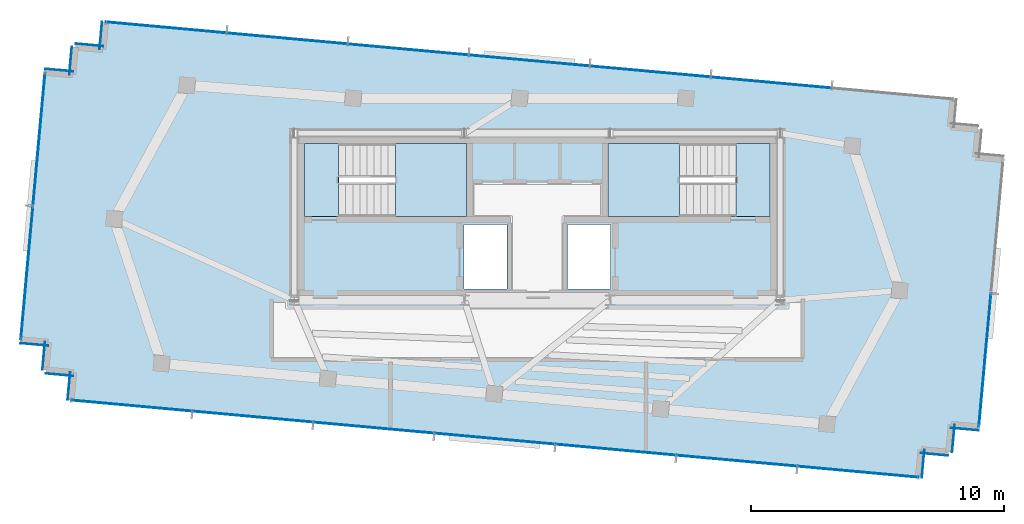
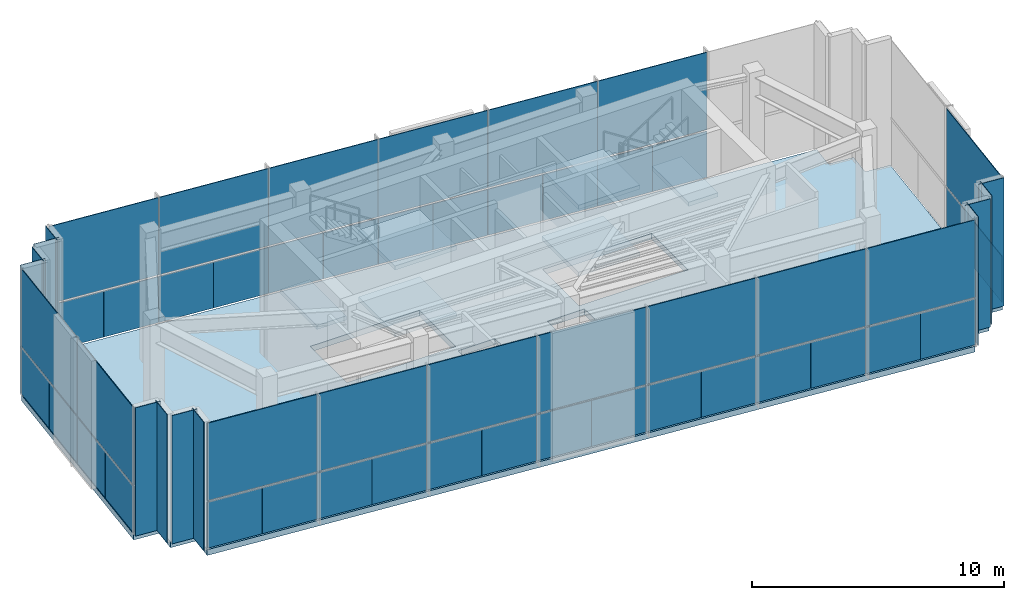
# One storey, part 14 of 19: 60 plates, 7 slabs, 6 elements without a shape of their own.
"""IFC4 building model written with IfcOpenShell, lengths in metres."""

import ifcopenshell
import ifcopenshell.guid

model = None  # the IFC model being written
_history = None  # IfcOwnerHistory: only IFC2X3 demands one
_inside = {}  # id of a spatial element -> (the spatial element, [elements in it])
_under = {}  # id of a project, library or spatial element -> (it, [spatial elements below it])
_declared = {}  # id of a project -> (the project, [libraries it declares])
_typed = {}  # id of a type object -> (the type object, [elements of that type])
_made_of = {}  # id of a material, layer set ... -> (it, [elements and type objects made of it])


def new_model(schema):
    """Start an empty IFC model of exactly this schema.

    Asked for "IFC4X3", IfcOpenShell would pick the latest addendum, in which some entities
    have other attributes; the version numbers below select the first issue.
    IFC2X3 requires an IfcOwnerHistory on every rooted entity: one is made here for all.
    """
    global model, _history
    if schema == "IFC4X3":
        model = ifcopenshell.file(schema_version=(4, 3, 0, 0))
    else:
        model = ifcopenshell.file(schema=schema)
    _inside.clear()
    _under.clear()
    _declared.clear()
    _typed.clear()
    _made_of.clear()
    _history = None
    if model.schema == "IFC2X3":
        org = make("IfcOrganization", Name="unknown")
        user = make(
            "IfcPersonAndOrganization",
            ThePerson=make("IfcPerson", FamilyName="unknown"),
            TheOrganization=org,
        )
        app = make(
            "IfcApplication",
            ApplicationDeveloper=org,
            Version="unknown",
            ApplicationFullName="unknown",
            ApplicationIdentifier="unknown",
        )
        _history = make(
            "IfcOwnerHistory",
            OwningUser=user,
            OwningApplication=app,
            ChangeAction="ADDED",
            CreationDate=0,
        )
    return model


def make(cls, **values):
    """One entity of the class cls with the attributes given. An attribute that is None is left unset."""
    return model.create_entity(
        cls, **{name: value for name, value in values.items() if value is not None}
    )


def rooted(cls, **values):
    """An entity with a GlobalId (a new one), such as an element, a storey or a relation."""
    return make(cls, GlobalId=ifcopenshell.guid.new(), OwnerHistory=_history, **values)


def si_unit(unit_type, name, prefix=None):
    """IfcSIUnit, for example si_unit("LENGTHUNIT", "METRE", prefix="MILLI")."""
    return make("IfcSIUnit", UnitType=unit_type, Prefix=prefix, Name=name)


def assignment(units):
    """IfcUnitAssignment: the units of a project."""
    return None if units is None else make("IfcUnitAssignment", Units=units)


def point(xyz):
    """IfcCartesianPoint."""
    return None if xyz is None else make("IfcCartesianPoint", Coordinates=xyz)


def direction(xyz):
    """IfcDirection."""
    return None if xyz is None else make("IfcDirection", DirectionRatios=xyz)


def frame(location, z_axis=None, x_axis=None):
    """IfcAxis2Placement3D, a coordinate frame: its origin and axes. An axis left out is left unset."""
    return make(
        "IfcAxis2Placement3D",
        Location=point(location),
        Axis=direction(z_axis),
        RefDirection=direction(x_axis),
    )


def frame_2d(location, x_axis=None):
    """IfcAxis2Placement2D, a coordinate frame in the plane: its origin and x axis."""
    return make(
        "IfcAxis2Placement2D", Location=point(location), RefDirection=direction(x_axis)
    )


def origin():
    """The frame at (0, 0, 0) with its axes left unset."""
    return frame((0.0, 0.0, 0.0))


def origin_2d():
    """The frame at (0, 0) in the plane with its x axis left unset."""
    return frame_2d((0.0, 0.0))


def place(relative_to, where):
    """IfcLocalPlacement: puts the frame where relative to a parent placement (None: the world)."""
    return make(
        "IfcLocalPlacement", PlacementRelTo=relative_to, RelativePlacement=where
    )


def context(
    kind, dimensions, precision=None, world=None, true_north=None, identifier=None
):
    """IfcGeometricRepresentationContext, for example the 3D "Model" context."""
    return make(
        "IfcGeometricRepresentationContext",
        ContextIdentifier=identifier,
        ContextType=kind,
        CoordinateSpaceDimension=dimensions,
        Precision=precision,
        WorldCoordinateSystem=world,
        TrueNorth=true_north,
    )


def subcontext(parent, identifier, kind, view, scale=None):
    """IfcGeometricRepresentationSubContext, for example "Body" below "Model"."""
    return make(
        "IfcGeometricRepresentationSubContext",
        ContextIdentifier=identifier,
        ContextType=kind,
        ParentContext=parent,
        TargetScale=scale,
        TargetView=view,
    )


def project(units=None, contexts=None):
    """IfcProject with its units and contexts."""
    return rooted(
        "IfcProject",
        Name="project",
        RepresentationContexts=contexts,
        UnitsInContext=assignment(units),
    )


def spatial(cls, under=None, at=None, **own):
    """A site, building, storey or space (cls), placed at a placement, below another one or the project."""
    s = rooted(cls, ObjectPlacement=at, **own)
    if under is not None:
        _under.setdefault(under.id(), (under, []))[1].append(s)
    return s


def polyline(points):
    """IfcPolyline through the points."""
    return make("IfcPolyline", Points=[point(p) for p in points])


def profile(cls, at=None, kind="AREA", **sizes):
    """A parametric profile (cls). Its sizes go by their IFC names, for example OverallWidth=200.0."""
    return make(cls, ProfileType=kind, Position=at, **sizes)


def rectangle(**sizes):
    """IfcRectangleProfileDef."""
    return profile("IfcRectangleProfileDef", **sizes)


def outline(outer, holes=None, kind="AREA"):
    """IfcArbitraryClosedProfileDef: a profile drawn as a closed curve; with holes, ...WithVoids."""
    if holes is None:
        return make("IfcArbitraryClosedProfileDef", ProfileType=kind, OuterCurve=outer)
    return make(
        "IfcArbitraryProfileDefWithVoids",
        ProfileType=kind,
        OuterCurve=outer,
        InnerCurves=holes,
    )


def extrude(swept, where, along, depth):
    """IfcExtrudedAreaSolid: the profile swept, set in the frame where, extruded along a direction by depth."""
    return make(
        "IfcExtrudedAreaSolid",
        SweptArea=swept,
        Position=where,
        ExtrudedDirection=direction(along),
        Depth=depth,
    )


def shape(context_of_items, identifier, shape_type, items):
    """IfcShapeRepresentation: the items that make up one representation, for example the "Body"."""
    return make(
        "IfcShapeRepresentation",
        ContextOfItems=context_of_items,
        RepresentationIdentifier=identifier,
        RepresentationType=shape_type,
        Items=items,
    )


def source(mapping_origin, context_of_items, identifier, shape_type, items):
    """IfcRepresentationMap: a shape defined once, which mapped items show again and again."""
    return make(
        "IfcRepresentationMap",
        MappingOrigin=mapping_origin,
        MappedRepresentation=shape(context_of_items, identifier, shape_type, items),
    )


def transform(
    local_origin,
    x_axis=None,
    y_axis=None,
    z_axis=None,
    scale=None,
    scale2=None,
    scale3=None,
    uniform=True,
):
    """IfcCartesianTransformationOperator3D, or its non-uniform kind. x_axis, y_axis, z_axis: its Axis1, 2, 3."""
    if uniform:
        return make(
            "IfcCartesianTransformationOperator3D",
            Axis1=direction(x_axis),
            Axis2=direction(y_axis),
            LocalOrigin=point(local_origin),
            Scale=scale,
            Axis3=direction(z_axis),
        )
    return make(
        "IfcCartesianTransformationOperator3DnonUniform",
        Axis1=direction(x_axis),
        Axis2=direction(y_axis),
        LocalOrigin=point(local_origin),
        Scale=scale,
        Axis3=direction(z_axis),
        Scale2=scale2,
        Scale3=scale3,
    )


def mapped(mapping_source, mapping_target):
    """IfcMappedItem: shows the shape of a source again, moved by a transform."""
    return make(
        "IfcMappedItem", MappingSource=mapping_source, MappingTarget=mapping_target
    )


def material(Name=None, Category=None):
    """IfcMaterial."""
    return make("IfcMaterial", Name=Name, Category=Category)


def layer(
    of_material, thickness, ventilated=None, Name=None, Category=None, Priority=None
):
    """IfcMaterialLayer: one layer of a wall or slab, of a material (None: an air gap)."""
    return make(
        "IfcMaterialLayer",
        Material=of_material,
        LayerThickness=thickness,
        IsVentilated=ventilated,
        Name=Name,
        Category=Category,
        Priority=Priority,
    )


def layer_set(layers, Name=None):
    """IfcMaterialLayerSet."""
    return make("IfcMaterialLayerSet", MaterialLayers=layers, LayerSetName=Name)


def made_of(thing, what):
    """Note that an element or type object is made of a material, layer set ...; save() writes the relation."""
    if what is not None:
        _made_of.setdefault(what.id(), (what, []))[1].append(thing)
    return thing


def type_object(cls, material=None, **own):
    """A type object (cls), such as IfcWallType, which elements share."""
    return made_of(rooted(cls, **own), material)


def type_shapes(of_type, sources):
    """Give a type object the sources (RepresentationMaps) that its elements show as mapped items."""
    of_type.RepresentationMaps = sources


def element(
    cls,
    number,
    at=None,
    inside=None,
    cuts=None,
    type_object=None,
    material=None,
    context=None,
    identifier="Body",
    shape_type=None,
    held_by="IfcProductDefinitionShape",
    body=None,
    shapes=None,
    **own,
):
    """One element of the class cls, such as IfcWall. Its Tag is "e" and its number.

    at: its placement. inside: the storey or other place that contains it. cuts: it is an
    opening in that element (IfcRelVoidsElement). A single representation is given by context,
    identifier, shape_type and body (its items); several are given by shapes. held_by: the class
    of the entity that holds the representations. save() writes the other relations.
    """
    e = rooted(cls, Tag="e%d" % number, ObjectPlacement=at, **own)
    if body is not None:
        shapes = [shape(context, identifier, shape_type, body)]
    if shapes is not None:
        e.Representation = make(held_by, Representations=shapes)
    if inside is not None:
        _inside.setdefault(inside.id(), (inside, []))[1].append(e)
    if cuts is not None:
        rooted(
            "IfcRelVoidsElement", RelatingBuildingElement=cuts, RelatedOpeningElement=e
        )
    if type_object is not None:
        _typed.setdefault(type_object.id(), (type_object, []))[1].append(e)
    return made_of(e, material)


def aggregate(whole, parts):
    """IfcRelAggregates: a whole, such as a stair, and the parts it consists of."""
    return rooted("IfcRelAggregates", RelatingObject=whole, RelatedObjects=parts)


def save(model, path):
    """Write the relations noted so far, then the file.

    IfcRelAggregates (storeys below a building ...), IfcRelContainedInSpatialStructure (elements
    in a storey), IfcRelDefinesByType, IfcRelAssociatesMaterial and IfcRelDeclares: one each for
    every whole, place, type object, material and project.
    """
    for whole, parts in _under.values():
        aggregate(whole, parts)
    for where, things in _inside.values():
        rooted(
            "IfcRelContainedInSpatialStructure",
            RelatedElements=things,
            RelatingStructure=where,
        )
    for kind, things in _typed.values():
        rooted("IfcRelDefinesByType", RelatedObjects=things, RelatingType=kind)
    for what, things in _made_of.values():
        rooted("IfcRelAssociatesMaterial", RelatedObjects=things, RelatingMaterial=what)
    for by, libraries in _declared.values():
        rooted("IfcRelDeclares", RelatingContext=by, RelatedDefinitions=libraries)
    model.write(path)


model = new_model("IFC4")

# Units and contexts
model_context = context("Model", 3, precision=1e-05, world=origin(), true_north=direction((0.0, 1.0)))
body_context = subcontext(model_context, "Body", "Model", "MODEL_VIEW")
ifc_project = project(units=[si_unit("LENGTHUNIT", "METRE"), si_unit("AREAUNIT", "SQUARE_METRE"), si_unit("VOLUMEUNIT", "CUBIC_METRE"), si_unit("PLANEANGLEUNIT", "RADIAN"), si_unit("MASSUNIT", "GRAM", prefix="KILO")], contexts=[model_context])

# Site, building, storey
site_placement = place(None, origin())
site = spatial("IfcSite", under=ifc_project, at=site_placement, CompositionType="ELEMENT")
building_placement = place(site_placement, origin())
building = spatial("IfcBuilding", under=site, at=building_placement, Name="Astriad Promenade Condominiums", CompositionType="ELEMENT")
storey_placement = place(building_placement, frame((0.0, 0.0, 283.800048828125)))
storey = spatial("IfcBuildingStorey", under=building, at=storey_placement, Name="L79", CompositionType="ELEMENT", Elevation=283.800048828125)

# Slab
ifc_material_1 = material(Name="Concrete C50/60", Category="concrete")
ifc_layer_1 = layer(ifc_material_1, 0.280029296875)
ifc_layer_set_1 = layer_set([ifc_layer_1], Name="Concrete C50/60")
slab_type_1 = type_object("IfcSlabType", Name="CONCRETE CROWN FLOOR SLAB 280", PredefinedType="FLOOR", material=ifc_layer_set_1)
slab_1_placement = place(storey_placement, frame((0.0, 0.0, -0.280029296875)))
element("IfcSlab", 1, at=slab_1_placement, inside=storey, type_object=slab_type_1, Name="Structural Floor Slab (L79)", PredefinedType="FLOOR", context=body_context, shape_type="SweptSolid", body=[
    extrude(outline(polyline([(17.58935546875, 13.45361328125), (51.051025390625, 10.408203125), (51.15087890625, 11.503662109375), (52.246337890625, 11.404052734375), (52.345947265625, 12.49951171875), (53.44140625, 12.39990234375), (54.402099609375, 22.956298828125), (53.306640625, 23.055908203125), (53.406494140625, 24.1513671875), (52.310791015625, 24.2509765625), (52.41064453125, 25.346435546875), (18.948974609375, 28.391845703125), (18.84912109375, 27.29638671875), (17.753662109375, 27.39599609375), (17.654052734375, 26.300537109375), (16.55859375, 26.400146484375), (15.597900390625, 15.84375), (16.693359375, 15.744140625), (16.593505859375, 14.648681640625), (17.689208984375, 14.549072265625), (17.58935546875, 13.45361328125)]), holes=[polyline([(28.175048828125, 20.699951171875), (33.175048828125, 20.699951171875), (33.175048828125, 23.60009765625), (28.175048828125, 23.60009765625), (28.175048828125, 20.699951171875)]), polyline([(38.824951171875, 20.699951171875), (43.824951171875, 20.699951171875), (43.824951171875, 23.60009765625), (38.824951171875, 23.60009765625), (38.824951171875, 20.699951171875)]), polyline([(33.10009765625, 17.85009765625), (34.800048828125, 17.85009765625), (34.800048828125, 20.39990234375), (33.10009765625, 20.39990234375), (33.10009765625, 17.85009765625)]), polyline([(37.199951171875, 17.85009765625), (38.89990234375, 17.85009765625), (38.89990234375, 20.39990234375), (37.199951171875, 20.39990234375), (37.199951171875, 17.85009765625)])]), origin(), (0.0, 0.0, 1.0), 0.280029296875),
])

# Stair, slabs
stair_type = type_object("IfcStairType", Name="STR-CORE-1350", PredefinedType="HALF_TURN_STAIR", material=ifc_material_1)
stair_1_placement = place(storey_placement, origin())
stair_1 = element("IfcStair", 2, at=stair_1_placement, inside=storey, type_object=stair_type, Name="L79 Enclosed Core Exit Stair ST-1", PredefinedType="HALF_TURN_STAIR")
ifc_layer_2 = layer(ifc_material_1, 0.219970703125)
ifc_layer_set_2 = layer_set([ifc_layer_2], Name="Concrete C50/60")
slab_type_2 = type_object("IfcSlabType", Name="SLB-LANDING-220", PredefinedType="LANDING", material=ifc_layer_set_2)
slab_2_placement = place(storey_placement, frame((0.0, 0.0, 1.425048828125)))
slab_2 = element("IfcSlab", 3, at=slab_2_placement, type_object=slab_type_2, Name="ST-1 landing 1", PredefinedType="LANDING", context=body_context, shape_type="SweptSolid", body=[
    extrude(outline(polyline([(30.389892578125, 20.699951171875), (33.199951171875, 20.699951171875), (33.199951171875, 23.60009765625), (30.389892578125, 23.60009765625), (30.389892578125, 20.699951171875)])), origin(), (0.0, 0.0, 1.0), 0.199951171875),
])
slab_3_placement = place(storey_placement, frame((0.0, 0.0, 3.050048828125)))
slab_3 = element("IfcSlab", 4, at=slab_3_placement, type_object=slab_type_2, Name="ST-1 landing 2", PredefinedType="LANDING", context=body_context, shape_type="SweptSolid", body=[
    extrude(outline(polyline([(26.800048828125, 20.699951171875), (28.14990234375, 20.699951171875), (28.14990234375, 23.60009765625), (26.800048828125, 23.60009765625), (26.800048828125, 20.699951171875)])), origin(), (0.0, 0.0, 1.0), 0.199951171875),
])
slab_4_placement = place(storey_placement, frame((0.0, 0.0, 4.675048828125)))
slab_4 = element("IfcSlab", 5, at=slab_4_placement, type_object=slab_type_2, Name="ST-1 landing 3", PredefinedType="LANDING", context=body_context, shape_type="SweptSolid", body=[
    extrude(outline(polyline([(30.389892578125, 20.699951171875), (33.199951171875, 20.699951171875), (33.199951171875, 23.60009765625), (30.389892578125, 23.60009765625), (30.389892578125, 20.699951171875)])), origin(), (0.0, 0.0, 1.0), 0.199951171875),
])
aggregate(stair_1, [slab_2, slab_3, slab_4])

stair_2_placement = place(storey_placement, origin())
stair_2 = element("IfcStair", 6, at=stair_2_placement, inside=storey, type_object=stair_type, Name="L79 Enclosed Core Exit Stair ST-2", PredefinedType="HALF_TURN_STAIR")
slab_5_placement = place(storey_placement, frame((0.0, 0.0, 1.425048828125)))
slab_5 = element("IfcSlab", 7, at=slab_5_placement, type_object=slab_type_2, Name="ST-2 landing 1", PredefinedType="LANDING", context=body_context, shape_type="SweptSolid", body=[
    extrude(outline(polyline([(41.610107421875, 23.60009765625), (38.800048828125, 23.60009765625), (38.800048828125, 20.699951171875), (41.610107421875, 20.699951171875), (41.610107421875, 23.60009765625)])), origin(), (0.0, 0.0, 1.0), 0.199951171875),
])
slab_6_placement = place(storey_placement, frame((0.0, 0.0, 3.050048828125)))
slab_6 = element("IfcSlab", 8, at=slab_6_placement, type_object=slab_type_2, Name="ST-2 landing 2", PredefinedType="LANDING", context=body_context, shape_type="SweptSolid", body=[
    extrude(outline(polyline([(45.199951171875, 23.60009765625), (43.85009765625, 23.60009765625), (43.85009765625, 20.699951171875), (45.199951171875, 20.699951171875), (45.199951171875, 23.60009765625)])), origin(), (0.0, 0.0, 1.0), 0.199951171875),
])
slab_7_placement = place(storey_placement, frame((0.0, 0.0, 4.675048828125)))
slab_7 = element("IfcSlab", 9, at=slab_7_placement, type_object=slab_type_2, Name="ST-2 landing 3", PredefinedType="LANDING", context=body_context, shape_type="SweptSolid", body=[
    extrude(outline(polyline([(41.610107421875, 23.60009765625), (38.800048828125, 23.60009765625), (38.800048828125, 20.699951171875), (41.610107421875, 20.699951171875), (41.610107421875, 23.60009765625)])), origin(), (0.0, 0.0, 1.0), 0.199951171875),
])
aggregate(stair_2, [slab_5, slab_6, slab_7])

# Curtain wall, plates
ifc_material_2 = material(Name="Anodised aluminium Black Dark Glass Unitised", Category="aluminium")
curtain_wall_type = type_object("IfcCurtainWallType", Name="CW-TMD-LANTERN", PredefinedType="USERDEFINED", material=ifc_material_2)
curtain_wall_1_placement = place(storey_placement, origin())
curtain_wall_1 = element("IfcCurtainWall", 10, at=curtain_wall_1_placement, inside=storey, type_object=curtain_wall_type, Name="CW-CRN-L79-03", ObjectType="UNITISED_CURTAIN_WALL", PredefinedType="USERDEFINED")
ifc_material_3 = material(Name="Translucent Acoustic Fritted Dark Glass", Category="glass")
ifc_layer_3 = layer(ifc_material_3, 0.035888671875)
ifc_layer_set_3 = layer_set([ifc_layer_3], Name="Translucent Acoustic Fritted Dark Glass")
plate_type_1 = type_object("IfcPlateType", Name="PNL-LANTERN-GLOW-36", PredefinedType="CURTAIN_PANEL", material=ifc_layer_set_3)
shared_shape_1 = source(origin(), body_context, "Body", "SweptSolid", [
    extrude(rectangle(XDim=2.637939453125, YDim=0.035888671875, at=origin_2d()), origin(), (0.0, 0.0, 1.0), 2.22998046875),
])
plate_1_placement = place(storey_placement, frame((15.718017578125, 17.163330078125, 0.080078125), z_axis=(0.0, 0.0, 1.0), x_axis=(0.090632580198, 0.995884398616, 0.0)))
plate_1 = element("IfcPlate", 11, at=plate_1_placement, type_object=plate_type_1, Name="CW-CRN-L79-03-PNL-00-VL", PredefinedType="CURTAIN_PANEL", context=body_context, shape_type="MappedRepresentation", body=[
    mapped(shared_shape_1, transform((0.0, 0.0, 0.0), scale=1.0)),
])
plate_2_placement = place(storey_placement, frame((15.9580078125, 19.802490234375, 0.080078125), z_axis=(0.0, 0.0, 1.0), x_axis=(0.090632580198, 0.995884398616, 0.0)))
plate_2 = element("IfcPlate", 12, at=plate_2_placement, type_object=plate_type_1, Name="CW-CRN-L79-03-PNL-00-VR", PredefinedType="CURTAIN_PANEL", context=body_context, shape_type="MappedRepresentation", body=[
    mapped(shared_shape_1, transform((0.0, 0.0, 0.0), scale=1.0)),
])
plate_3_placement = place(storey_placement, frame((16.1982421875, 22.44140625, 0.080078125), z_axis=(0.0, 0.0, 1.0), x_axis=(0.090632580198, 0.995884398616, 0.0)))
plate_3 = element("IfcPlate", 13, at=plate_3_placement, type_object=plate_type_1, Name="CW-CRN-L79-03-PNL-01-VL", PredefinedType="CURTAIN_PANEL", context=body_context, shape_type="MappedRepresentation", body=[
    mapped(shared_shape_1, transform((0.0, 0.0, 0.0), scale=1.0)),
])
plate_4_placement = place(storey_placement, frame((16.4384765625, 25.080810546875, 0.080078125), z_axis=(0.0, 0.0, 1.0), x_axis=(0.090632580198, 0.995884398616, 0.0)))
plate_4 = element("IfcPlate", 14, at=plate_4_placement, type_object=plate_type_1, Name="CW-CRN-L79-03-PNL-01-VR", PredefinedType="CURTAIN_PANEL", context=body_context, shape_type="MappedRepresentation", body=[
    mapped(shared_shape_1, transform((0.0, 0.0, 0.0), scale=1.0)),
])

curtain_wall_2_placement = place(storey_placement, origin())
curtain_wall_2 = element("IfcCurtainWall", 15, at=curtain_wall_2_placement, inside=storey, type_object=curtain_wall_type, Name="CW-CRN-L79-13", ObjectType="UNITISED_CURTAIN_WALL", PredefinedType="USERDEFINED")
plate_5_placement = place(storey_placement, frame((53.8017578125, 16.3583984375, 0.080078125), z_axis=(0.0, 0.0, 1.0), x_axis=(-0.090632580198, -0.995884398616, 0.0)))
plate_5 = element("IfcPlate", 16, at=plate_5_placement, type_object=plate_type_1, Name="CW-CRN-L79-13-PNL-01-VL", PredefinedType="CURTAIN_PANEL", context=body_context, shape_type="MappedRepresentation", body=[
    mapped(shared_shape_1, transform((0.0, 0.0, 0.0), scale=1.0)),
])
plate_6_placement = place(storey_placement, frame((53.5615234375, 13.719482421875, 0.080078125), z_axis=(0.0, 0.0, 1.0), x_axis=(-0.090632580198, -0.995884398616, 0.0)))
plate_6 = element("IfcPlate", 17, at=plate_6_placement, type_object=plate_type_1, Name="CW-CRN-L79-13-PNL-01-VR", PredefinedType="CURTAIN_PANEL", context=body_context, shape_type="MappedRepresentation", body=[
    mapped(shared_shape_1, transform((0.0, 0.0, 0.0), scale=1.0)),
])

# Plate
shared_shape_2 = source(origin(), body_context, "Body", "SweptSolid", [
    extrude(rectangle(XDim=5.2880859375, YDim=0.035888671875, at=origin_2d()), origin(), (0.0, 0.0, 1.0), 3.75),
])
plate_7_placement = place(storey_placement, frame((15.837890625, 18.48291015625, 2.389892578125), z_axis=(0.0, 0.0, 1.0), x_axis=(0.090632580198, 0.995884398616, 0.0)))
plate_7 = element("IfcPlate", 18, at=plate_7_placement, type_object=plate_type_1, Name="CW-CRN-L79-03-PNL-00-S", PredefinedType="CURTAIN_PANEL", context=body_context, shape_type="MappedRepresentation", body=[
    mapped(shared_shape_2, transform((0.0, 0.0, 0.0), scale=1.0)),
])

plate_8_placement = place(storey_placement, frame((16.318359375, 23.760986328125, 2.389892578125), z_axis=(0.0, 0.0, 1.0), x_axis=(0.090632580198, 0.995884398616, 0.0)))
plate_8 = element("IfcPlate", 19, at=plate_8_placement, type_object=plate_type_1, Name="CW-CRN-L79-03-PNL-01-S", PredefinedType="CURTAIN_PANEL", context=body_context, shape_type="MappedRepresentation", body=[
    mapped(shared_shape_2, transform((0.0, 0.0, 0.0), scale=1.0)),
])

aggregate(curtain_wall_1, [plate_1, plate_2, plate_7, plate_3, plate_4, plate_8])

plate_9_placement = place(storey_placement, frame((53.681640625, 15.038818359375, 2.389892578125), z_axis=(0.0, 0.0, 1.0), x_axis=(-0.090632580198, -0.995884398616, 0.0)))
plate_9 = element("IfcPlate", 20, at=plate_9_placement, type_object=plate_type_1, Name="CW-CRN-L79-13-PNL-01-S", PredefinedType="CURTAIN_PANEL", context=body_context, shape_type="MappedRepresentation", body=[
    mapped(shared_shape_2, transform((0.0, 0.0, 0.0), scale=1.0)),
])

aggregate(curtain_wall_2, [plate_5, plate_6, plate_9])

# Plates
ifc_material_4 = material(Name="Powder-Coated White Aluminium Cladding Sheet", Category="aluminium")
ifc_layer_4 = layer(ifc_material_4, 0.01806640625)
ifc_layer_set_4 = layer_set([ifc_layer_4], Name="Powder-Coated White Aluminium Cladding Sheet")
plate_type_2 = type_object("IfcPlateType", Name="PNL-CROWN-RING-18", PredefinedType="SHEET", material=ifc_layer_set_4)
shared_shape_3 = source(origin(), body_context, "Body", "SweptSolid", [
    extrude(rectangle(XDim=1.10009765625, YDim=0.02490234375, at=origin_2d()), origin(), (0.0, 0.0, 1.0), 6.219970703125),
])
for number, where, z_axis, x_axis, name in (
    (21, (17.128662109375, 14.45947265625, 0.0), (0.0, 0.0, 1.0), (-0.995884398616, 0.090632580198, 0.0), "PLT-CRN-L79-00"),
    (22, (16.1328125, 15.654541015625, 0.0), (0.0, 0.0, 1.0), (-0.995884398616, 0.090632580198, 0.0), "PLT-CRN-L79-02"),
    (23, (17.118896484375, 26.48974609375, 0.0), (0.0, 0.0, 1.0), (0.995884398616, -0.090632580198, 0.0), "PLT-CRN-L79-04"),
    (24, (17.564453125, 26.861083984375, 0.0), (0.0, 0.0, 1.0), (0.090632580198, 0.995884398616, 0.0), "PLT-CRN-L79-05"),
    (25, (18.314208984375, 27.485595703125, 0.0), (0.0, 0.0, 1.0), (0.995884398616, -0.090632580198, 0.0), "PLT-CRN-L79-06"),
    (26, (18.759521484375, 27.856689453125, 0.0), (0.0, 0.0, 1.0), (0.090632580198, 0.995884398616, 0.0), "PLT-CRN-L79-07"),
    (27, (52.881103515625, 12.310302734375, 0.0), (0.0, 0.0, 1.0), (-0.995884398616, 0.090632580198, 0.0), "PLT-CRN-L79-14"),
    (28, (52.435546875, 11.939208984375, 0.0), (0.0, 0.0, 1.0), (-0.090632580198, -0.995884398616, 0.0), "PLT-CRN-L79-15"),
    (29, (51.685791015625, 11.314453125, 0.0), (0.0, 0.0, 1.0), (-0.995884398616, 0.090632580198, 0.0), "PLT-CRN-L79-16"),
    (30, (51.240234375, 10.943359375, 0.0), (0.0, 0.0, 1.0), (-0.090632580198, -0.995884398616, 0.0), "PLT-CRN-L79-17"),
    (31, (17.5, 14.013916015625, 0.0), (0.0, 0.0, 1.0), (0.090632580198, 0.995884398616, 0.0), "PLT-CRN-L79-19"),
):
    element("IfcPlate", number, at=place(storey_placement, frame(where, z_axis=z_axis, x_axis=x_axis)), inside=storey, type_object=plate_type_2, Name=name, PredefinedType="SHEET", context=body_context, shape_type="MappedRepresentation", body=[
        mapped(shared_shape_3, transform((0.0, 0.0, 0.0), scale=1.0)),
    ])
shared_shape_4 = source(origin(), body_context, "Body", "SweptSolid", [
    extrude(rectangle(XDim=1.099853515625, YDim=0.02490234375, at=origin_2d()), origin(), (0.0, 0.0, 1.0), 6.219970703125),
])
type_shapes(plate_type_2, [shared_shape_3, shared_shape_4])
plate_10_placement = place(storey_placement, frame((16.504150390625, 15.208984375, 0.0), z_axis=(0.0, 0.0, 1.0), x_axis=(0.090649961646, 0.995882816627, 0.0)))
element("IfcPlate", 32, at=plate_10_placement, inside=storey, type_object=plate_type_2, Name="PLT-CRN-L79-01", PredefinedType="SHEET", context=body_context, shape_type="MappedRepresentation", body=[
    mapped(shared_shape_4, transform((0.0, 0.0, 0.0), scale=1.0)),
])

# Curtain wall, plates
curtain_wall_3_placement = place(storey_placement, origin())
curtain_wall_3 = element("IfcCurtainWall", 33, at=curtain_wall_3_placement, inside=storey, type_object=curtain_wall_type, Name="CW-CRN-L79-08", ObjectType="UNITISED_CURTAIN_WALL", PredefinedType="USERDEFINED")
shared_shape_5 = source(origin(), body_context, "Body", "SweptSolid", [
    extrude(rectangle(XDim=2.387939453125, YDim=0.035888671875, at=origin_2d()), origin(), (0.0, 0.0, 1.0), 2.22998046875),
])
plate_11_placement = place(storey_placement, frame((20.143798828125, 28.282958984375, 0.080078125), z_axis=(0.0, 0.0, 1.0), x_axis=(0.995884398616, -0.090632580198, 0.0)))
plate_11 = element("IfcPlate", 34, at=plate_11_placement, type_object=plate_type_1, Name="CW-CRN-L79-08-PNL-00-VL", PredefinedType="CURTAIN_PANEL", context=body_context, shape_type="MappedRepresentation", body=[
    mapped(shared_shape_5, transform((0.0, 0.0, 0.0), scale=1.0)),
])
plate_12_placement = place(storey_placement, frame((22.5341796875, 28.065673828125, 0.080078125), z_axis=(0.0, 0.0, 1.0), x_axis=(0.995884398616, -0.090632580198, 0.0)))
plate_12 = element("IfcPlate", 35, at=plate_12_placement, type_object=plate_type_1, Name="CW-CRN-L79-08-PNL-00-VR", PredefinedType="CURTAIN_PANEL", context=body_context, shape_type="MappedRepresentation", body=[
    mapped(shared_shape_5, transform((0.0, 0.0, 0.0), scale=1.0)),
])
plate_13_placement = place(storey_placement, frame((24.92431640625, 27.847900390625, 0.080078125), z_axis=(0.0, 0.0, 1.0), x_axis=(0.995884398616, -0.090632580198, 0.0)))
plate_13 = element("IfcPlate", 36, at=plate_13_placement, type_object=plate_type_1, Name="CW-CRN-L79-08-PNL-01-VL", PredefinedType="CURTAIN_PANEL", context=body_context, shape_type="MappedRepresentation", body=[
    mapped(shared_shape_5, transform((0.0, 0.0, 0.0), scale=1.0)),
])
plate_14_placement = place(storey_placement, frame((27.314208984375, 27.630615234375, 0.080078125), z_axis=(0.0, 0.0, 1.0), x_axis=(0.995884398616, -0.090632580198, 0.0)))
plate_14 = element("IfcPlate", 37, at=plate_14_placement, type_object=plate_type_1, Name="CW-CRN-L79-08-PNL-01-VR", PredefinedType="CURTAIN_PANEL", context=body_context, shape_type="MappedRepresentation", body=[
    mapped(shared_shape_5, transform((0.0, 0.0, 0.0), scale=1.0)),
])
plate_15_placement = place(storey_placement, frame((29.70458984375, 27.412841796875, 0.080078125), z_axis=(0.0, 0.0, 1.0), x_axis=(0.995884398616, -0.090632580198, 0.0)))
plate_15 = element("IfcPlate", 38, at=plate_15_placement, type_object=plate_type_1, Name="CW-CRN-L79-08-PNL-02-VL", PredefinedType="CURTAIN_PANEL", context=body_context, shape_type="MappedRepresentation", body=[
    mapped(shared_shape_5, transform((0.0, 0.0, 0.0), scale=1.0)),
])
plate_16_placement = place(storey_placement, frame((32.094482421875, 27.195556640625, 0.080078125), z_axis=(0.0, 0.0, 1.0), x_axis=(0.995884398616, -0.090632580198, 0.0)))
plate_16 = element("IfcPlate", 39, at=plate_16_placement, type_object=plate_type_1, Name="CW-CRN-L79-08-PNL-02-VR", PredefinedType="CURTAIN_PANEL", context=body_context, shape_type="MappedRepresentation", body=[
    mapped(shared_shape_5, transform((0.0, 0.0, 0.0), scale=1.0)),
])
plate_17_placement = place(storey_placement, frame((34.484619140625, 26.977783203125, 0.080078125), z_axis=(0.0, 0.0, 1.0), x_axis=(0.995884398616, -0.090632580198, 0.0)))
plate_17 = element("IfcPlate", 40, at=plate_17_placement, type_object=plate_type_1, Name="CW-CRN-L79-08-PNL-03-VL", PredefinedType="CURTAIN_PANEL", context=body_context, shape_type="MappedRepresentation", body=[
    mapped(shared_shape_5, transform((0.0, 0.0, 0.0), scale=1.0)),
])
plate_18_placement = place(storey_placement, frame((36.874755859375, 26.760498046875, 0.080078125), z_axis=(0.0, 0.0, 1.0), x_axis=(0.995884398616, -0.090632580198, 0.0)))
plate_18 = element("IfcPlate", 41, at=plate_18_placement, type_object=plate_type_1, Name="CW-CRN-L79-08-PNL-03-VR", PredefinedType="CURTAIN_PANEL", context=body_context, shape_type="MappedRepresentation", body=[
    mapped(shared_shape_5, transform((0.0, 0.0, 0.0), scale=1.0)),
])
plate_19_placement = place(storey_placement, frame((39.264892578125, 26.542724609375, 0.080078125), z_axis=(0.0, 0.0, 1.0), x_axis=(0.995884398616, -0.090632580198, 0.0)))
plate_19 = element("IfcPlate", 42, at=plate_19_placement, type_object=plate_type_1, Name="CW-CRN-L79-08-PNL-04-VL", PredefinedType="CURTAIN_PANEL", context=body_context, shape_type="MappedRepresentation", body=[
    mapped(shared_shape_5, transform((0.0, 0.0, 0.0), scale=1.0)),
])
plate_20_placement = place(storey_placement, frame((41.655029296875, 26.325439453125, 0.080078125), z_axis=(0.0, 0.0, 1.0), x_axis=(0.995884398616, -0.090632580198, 0.0)))
plate_20 = element("IfcPlate", 43, at=plate_20_placement, type_object=plate_type_1, Name="CW-CRN-L79-08-PNL-04-VR", PredefinedType="CURTAIN_PANEL", context=body_context, shape_type="MappedRepresentation", body=[
    mapped(shared_shape_5, transform((0.0, 0.0, 0.0), scale=1.0)),
])
plate_21_placement = place(storey_placement, frame((44.045166015625, 26.10791015625, 0.080078125), z_axis=(0.0, 0.0, 1.0), x_axis=(0.995884398616, -0.090632580198, 0.0)))
plate_21 = element("IfcPlate", 44, at=plate_21_placement, type_object=plate_type_1, Name="CW-CRN-L79-08-PNL-05-VL", PredefinedType="CURTAIN_PANEL", context=body_context, shape_type="MappedRepresentation", body=[
    mapped(shared_shape_5, transform((0.0, 0.0, 0.0), scale=1.0)),
])
plate_22_placement = place(storey_placement, frame((46.435302734375, 25.890380859375, 0.080078125), z_axis=(0.0, 0.0, 1.0), x_axis=(0.995884398616, -0.090632580198, 0.0)))
plate_22 = element("IfcPlate", 45, at=plate_22_placement, type_object=plate_type_1, Name="CW-CRN-L79-08-PNL-05-VR", PredefinedType="CURTAIN_PANEL", context=body_context, shape_type="MappedRepresentation", body=[
    mapped(shared_shape_5, transform((0.0, 0.0, 0.0), scale=1.0)),
])

curtain_wall_4_placement = place(storey_placement, origin())
curtain_wall_4 = element("IfcCurtainWall", 46, at=curtain_wall_4_placement, inside=storey, type_object=curtain_wall_type, Name="CW-CRN-L79-18", ObjectType="UNITISED_CURTAIN_WALL", PredefinedType="USERDEFINED")
plate_23_placement = place(storey_placement, frame((49.85595703125, 10.51708984375, 0.080078125), z_axis=(0.0, 0.0, 1.0), x_axis=(-0.995884398616, 0.090632580198, 0.0)))
plate_23 = element("IfcPlate", 47, at=plate_23_placement, type_object=plate_type_1, Name="CW-CRN-L79-18-PNL-00-VL", PredefinedType="CURTAIN_PANEL", context=body_context, shape_type="MappedRepresentation", body=[
    mapped(shared_shape_5, transform((0.0, 0.0, 0.0), scale=1.0)),
])
plate_24_placement = place(storey_placement, frame((47.4658203125, 10.734375, 0.080078125), z_axis=(0.0, 0.0, 1.0), x_axis=(-0.995884398616, 0.090632580198, 0.0)))
plate_24 = element("IfcPlate", 48, at=plate_24_placement, type_object=plate_type_1, Name="CW-CRN-L79-18-PNL-00-VR", PredefinedType="CURTAIN_PANEL", context=body_context, shape_type="MappedRepresentation", body=[
    mapped(shared_shape_5, transform((0.0, 0.0, 0.0), scale=1.0)),
])
plate_25_placement = place(storey_placement, frame((45.07568359375, 10.951904296875, 0.080078125), z_axis=(0.0, 0.0, 1.0), x_axis=(-0.995884398616, 0.090632580198, 0.0)))
plate_25 = element("IfcPlate", 49, at=plate_25_placement, type_object=plate_type_1, Name="CW-CRN-L79-18-PNL-01-VL", PredefinedType="CURTAIN_PANEL", context=body_context, shape_type="MappedRepresentation", body=[
    mapped(shared_shape_5, transform((0.0, 0.0, 0.0), scale=1.0)),
])
plate_26_placement = place(storey_placement, frame((42.685791015625, 11.16943359375, 0.080078125), z_axis=(0.0, 0.0, 1.0), x_axis=(-0.995884398616, 0.090632580198, 0.0)))
plate_26 = element("IfcPlate", 50, at=plate_26_placement, type_object=plate_type_1, Name="CW-CRN-L79-18-PNL-01-VR", PredefinedType="CURTAIN_PANEL", context=body_context, shape_type="MappedRepresentation", body=[
    mapped(shared_shape_5, transform((0.0, 0.0, 0.0), scale=1.0)),
])
plate_27_placement = place(storey_placement, frame((40.29541015625, 11.38720703125, 0.080078125), z_axis=(0.0, 0.0, 1.0), x_axis=(-0.995884398616, 0.090632580198, 0.0)))
plate_27 = element("IfcPlate", 51, at=plate_27_placement, type_object=plate_type_1, Name="CW-CRN-L79-18-PNL-02-VL", PredefinedType="CURTAIN_PANEL", context=body_context, shape_type="MappedRepresentation", body=[
    mapped(shared_shape_5, transform((0.0, 0.0, 0.0), scale=1.0)),
])
plate_28_placement = place(storey_placement, frame((37.905517578125, 11.6044921875, 0.080078125), z_axis=(0.0, 0.0, 1.0), x_axis=(-0.995884398616, 0.090632580198, 0.0)))
plate_28 = element("IfcPlate", 52, at=plate_28_placement, type_object=plate_type_1, Name="CW-CRN-L79-18-PNL-02-VR", PredefinedType="CURTAIN_PANEL", context=body_context, shape_type="MappedRepresentation", body=[
    mapped(shared_shape_5, transform((0.0, 0.0, 0.0), scale=1.0)),
])
plate_29_placement = place(storey_placement, frame((35.515380859375, 11.822021484375, 0.080078125), z_axis=(0.0, 0.0, 1.0), x_axis=(-0.995884398616, 0.090632580198, 0.0)))
plate_29 = element("IfcPlate", 53, at=plate_29_placement, type_object=plate_type_1, Name="CW-CRN-L79-18-PNL-03-VL", PredefinedType="CURTAIN_PANEL", context=body_context, shape_type="MappedRepresentation", body=[
    mapped(shared_shape_5, transform((0.0, 0.0, 0.0), scale=1.0)),
])
plate_30_placement = place(storey_placement, frame((33.125244140625, 12.03955078125, 0.080078125), z_axis=(0.0, 0.0, 1.0), x_axis=(-0.995884398616, 0.090632580198, 0.0)))
plate_30 = element("IfcPlate", 54, at=plate_30_placement, type_object=plate_type_1, Name="CW-CRN-L79-18-PNL-03-VR", PredefinedType="CURTAIN_PANEL", context=body_context, shape_type="MappedRepresentation", body=[
    mapped(shared_shape_5, transform((0.0, 0.0, 0.0), scale=1.0)),
])
plate_31_placement = place(storey_placement, frame((30.735107421875, 12.257080078125, 0.080078125), z_axis=(0.0, 0.0, 1.0), x_axis=(-0.995884398616, 0.090632580198, 0.0)))
plate_31 = element("IfcPlate", 55, at=plate_31_placement, type_object=plate_type_1, Name="CW-CRN-L79-18-PNL-04-VL", PredefinedType="CURTAIN_PANEL", context=body_context, shape_type="MappedRepresentation", body=[
    mapped(shared_shape_5, transform((0.0, 0.0, 0.0), scale=1.0)),
])
plate_32_placement = place(storey_placement, frame((28.344970703125, 12.474609375, 0.080078125), z_axis=(0.0, 0.0, 1.0), x_axis=(-0.995884398616, 0.090632580198, 0.0)))
plate_32 = element("IfcPlate", 56, at=plate_32_placement, type_object=plate_type_1, Name="CW-CRN-L79-18-PNL-04-VR", PredefinedType="CURTAIN_PANEL", context=body_context, shape_type="MappedRepresentation", body=[
    mapped(shared_shape_5, transform((0.0, 0.0, 0.0), scale=1.0)),
])
plate_33_placement = place(storey_placement, frame((25.954833984375, 12.692138671875, 0.080078125), z_axis=(0.0, 0.0, 1.0), x_axis=(-0.995884398616, 0.090632580198, 0.0)))
plate_33 = element("IfcPlate", 57, at=plate_33_placement, type_object=plate_type_1, Name="CW-CRN-L79-18-PNL-05-VL", PredefinedType="CURTAIN_PANEL", context=body_context, shape_type="MappedRepresentation", body=[
    mapped(shared_shape_5, transform((0.0, 0.0, 0.0), scale=1.0)),
])
plate_34_placement = place(storey_placement, frame((23.564697265625, 12.90966796875, 0.080078125), z_axis=(0.0, 0.0, 1.0), x_axis=(-0.995884398616, 0.090632580198, 0.0)))
plate_34 = element("IfcPlate", 58, at=plate_34_placement, type_object=plate_type_1, Name="CW-CRN-L79-18-PNL-05-VR", PredefinedType="CURTAIN_PANEL", context=body_context, shape_type="MappedRepresentation", body=[
    mapped(shared_shape_5, transform((0.0, 0.0, 0.0), scale=1.0)),
])
plate_35_placement = place(storey_placement, frame((21.174560546875, 13.127197265625, 0.080078125), z_axis=(0.0, 0.0, 1.0), x_axis=(-0.995884398616, 0.090632580198, 0.0)))
plate_35 = element("IfcPlate", 59, at=plate_35_placement, type_object=plate_type_1, Name="CW-CRN-L79-18-PNL-06-VL", PredefinedType="CURTAIN_PANEL", context=body_context, shape_type="MappedRepresentation", body=[
    mapped(shared_shape_5, transform((0.0, 0.0, 0.0), scale=1.0)),
])
plate_36_placement = place(storey_placement, frame((18.784423828125, 13.3447265625, 0.080078125), z_axis=(0.0, 0.0, 1.0), x_axis=(-0.995884398616, 0.090632580198, 0.0)))
plate_36 = element("IfcPlate", 60, at=plate_36_placement, type_object=plate_type_1, Name="CW-CRN-L79-18-PNL-06-VR", PredefinedType="CURTAIN_PANEL", context=body_context, shape_type="MappedRepresentation", body=[
    mapped(shared_shape_5, transform((0.0, 0.0, 0.0), scale=1.0)),
])

# Plate
shared_shape_6 = source(origin(), body_context, "Body", "SweptSolid", [
    extrude(rectangle(XDim=4.7880859375, YDim=0.035888671875, at=origin_2d()), origin(), (0.0, 0.0, 1.0), 3.75),
])
type_shapes(plate_type_1, [shared_shape_1, shared_shape_2, shared_shape_5, shared_shape_6])
plate_37_placement = place(storey_placement, frame((21.339111328125, 28.17431640625, 2.389892578125), z_axis=(0.0, 0.0, 1.0), x_axis=(0.995884398616, -0.090632580198, 0.0)))
plate_37 = element("IfcPlate", 61, at=plate_37_placement, type_object=plate_type_1, Name="CW-CRN-L79-08-PNL-00-S", PredefinedType="CURTAIN_PANEL", context=body_context, shape_type="MappedRepresentation", body=[
    mapped(shared_shape_6, transform((0.0, 0.0, 0.0), scale=1.0)),
])

plate_38_placement = place(storey_placement, frame((26.119384765625, 27.7392578125, 2.389892578125), z_axis=(0.0, 0.0, 1.0), x_axis=(0.995884398616, -0.090632580198, 0.0)))
plate_38 = element("IfcPlate", 62, at=plate_38_placement, type_object=plate_type_1, Name="CW-CRN-L79-08-PNL-01-S", PredefinedType="CURTAIN_PANEL", context=body_context, shape_type="MappedRepresentation", body=[
    mapped(shared_shape_6, transform((0.0, 0.0, 0.0), scale=1.0)),
])

plate_39_placement = place(storey_placement, frame((30.8994140625, 27.30419921875, 2.389892578125), z_axis=(0.0, 0.0, 1.0), x_axis=(0.995884398616, -0.090632580198, 0.0)))
plate_39 = element("IfcPlate", 63, at=plate_39_placement, type_object=plate_type_1, Name="CW-CRN-L79-08-PNL-02-S", PredefinedType="CURTAIN_PANEL", context=body_context, shape_type="MappedRepresentation", body=[
    mapped(shared_shape_6, transform((0.0, 0.0, 0.0), scale=1.0)),
])

plate_40_placement = place(storey_placement, frame((35.6796875, 26.869140625, 2.389892578125), z_axis=(0.0, 0.0, 1.0), x_axis=(0.995884398616, -0.090632580198, 0.0)))
plate_40 = element("IfcPlate", 64, at=plate_40_placement, type_object=plate_type_1, Name="CW-CRN-L79-08-PNL-03-S", PredefinedType="CURTAIN_PANEL", context=body_context, shape_type="MappedRepresentation", body=[
    mapped(shared_shape_6, transform((0.0, 0.0, 0.0), scale=1.0)),
])

plate_41_placement = place(storey_placement, frame((40.4599609375, 26.43408203125, 2.389892578125), z_axis=(0.0, 0.0, 1.0), x_axis=(0.995884398616, -0.090632580198, 0.0)))
plate_41 = element("IfcPlate", 65, at=plate_41_placement, type_object=plate_type_1, Name="CW-CRN-L79-08-PNL-04-S", PredefinedType="CURTAIN_PANEL", context=body_context, shape_type="MappedRepresentation", body=[
    mapped(shared_shape_6, transform((0.0, 0.0, 0.0), scale=1.0)),
])

plate_42_placement = place(storey_placement, frame((45.240234375, 25.9990234375, 2.389892578125), z_axis=(0.0, 0.0, 1.0), x_axis=(0.995884398616, -0.090632580198, 0.0)))
plate_42 = element("IfcPlate", 66, at=plate_42_placement, type_object=plate_type_1, Name="CW-CRN-L79-08-PNL-05-S", PredefinedType="CURTAIN_PANEL", context=body_context, shape_type="MappedRepresentation", body=[
    mapped(shared_shape_6, transform((0.0, 0.0, 0.0), scale=1.0)),
])

aggregate(curtain_wall_3, [plate_11, plate_12, plate_37, plate_13, plate_14, plate_38, plate_15, plate_16, plate_39, plate_17, plate_18, plate_40, plate_19, plate_20, plate_41, plate_21, plate_22, plate_42])

plate_43_placement = place(storey_placement, frame((48.660888671875, 10.625732421875, 2.389892578125), z_axis=(0.0, 0.0, 1.0), x_axis=(-0.995884398616, 0.090632580198, 0.0)))
plate_43 = element("IfcPlate", 67, at=plate_43_placement, type_object=plate_type_1, Name="CW-CRN-L79-18-PNL-00-S", PredefinedType="CURTAIN_PANEL", context=body_context, shape_type="MappedRepresentation", body=[
    mapped(shared_shape_6, transform((0.0, 0.0, 0.0), scale=1.0)),
])

plate_44_placement = place(storey_placement, frame((43.880615234375, 11.060791015625, 2.389892578125), z_axis=(0.0, 0.0, 1.0), x_axis=(-0.995884398616, 0.090632580198, 0.0)))
plate_44 = element("IfcPlate", 68, at=plate_44_placement, type_object=plate_type_1, Name="CW-CRN-L79-18-PNL-01-S", PredefinedType="CURTAIN_PANEL", context=body_context, shape_type="MappedRepresentation", body=[
    mapped(shared_shape_6, transform((0.0, 0.0, 0.0), scale=1.0)),
])

plate_45_placement = place(storey_placement, frame((39.1005859375, 11.495849609375, 2.389892578125), z_axis=(0.0, 0.0, 1.0), x_axis=(-0.995884398616, 0.090632580198, 0.0)))
plate_45 = element("IfcPlate", 69, at=plate_45_placement, type_object=plate_type_1, Name="CW-CRN-L79-18-PNL-02-S", PredefinedType="CURTAIN_PANEL", context=body_context, shape_type="MappedRepresentation", body=[
    mapped(shared_shape_6, transform((0.0, 0.0, 0.0), scale=1.0)),
])

plate_46_placement = place(storey_placement, frame((34.3203125, 11.930908203125, 2.389892578125), z_axis=(0.0, 0.0, 1.0), x_axis=(-0.995884398616, 0.090632580198, 0.0)))
plate_46 = element("IfcPlate", 70, at=plate_46_placement, type_object=plate_type_1, Name="CW-CRN-L79-18-PNL-03-S", PredefinedType="CURTAIN_PANEL", context=body_context, shape_type="MappedRepresentation", body=[
    mapped(shared_shape_6, transform((0.0, 0.0, 0.0), scale=1.0)),
])

plate_47_placement = place(storey_placement, frame((29.5400390625, 12.365966796875, 2.389892578125), z_axis=(0.0, 0.0, 1.0), x_axis=(-0.995884398616, 0.090632580198, 0.0)))
plate_47 = element("IfcPlate", 71, at=plate_47_placement, type_object=plate_type_1, Name="CW-CRN-L79-18-PNL-04-S", PredefinedType="CURTAIN_PANEL", context=body_context, shape_type="MappedRepresentation", body=[
    mapped(shared_shape_6, transform((0.0, 0.0, 0.0), scale=1.0)),
])

plate_48_placement = place(storey_placement, frame((24.759765625, 12.801025390625, 2.389892578125), z_axis=(0.0, 0.0, 1.0), x_axis=(-0.995884398616, 0.090632580198, 0.0)))
plate_48 = element("IfcPlate", 72, at=plate_48_placement, type_object=plate_type_1, Name="CW-CRN-L79-18-PNL-05-S", PredefinedType="CURTAIN_PANEL", context=body_context, shape_type="MappedRepresentation", body=[
    mapped(shared_shape_6, transform((0.0, 0.0, 0.0), scale=1.0)),
])

plate_49_placement = place(storey_placement, frame((19.9794921875, 13.236083984375, 2.389892578125), z_axis=(0.0, 0.0, 1.0), x_axis=(-0.995884398616, 0.090632580198, 0.0)))
plate_49 = element("IfcPlate", 73, at=plate_49_placement, type_object=plate_type_1, Name="CW-CRN-L79-18-PNL-06-S", PredefinedType="CURTAIN_PANEL", context=body_context, shape_type="MappedRepresentation", body=[
    mapped(shared_shape_6, transform((0.0, 0.0, 0.0), scale=1.0)),
])

aggregate(curtain_wall_4, [plate_23, plate_24, plate_43, plate_25, plate_26, plate_44, plate_27, plate_28, plate_45, plate_29, plate_30, plate_46, plate_31, plate_32, plate_47, plate_33, plate_34, plate_48, plate_35, plate_36, plate_49])

save(model, "model.ifc")
